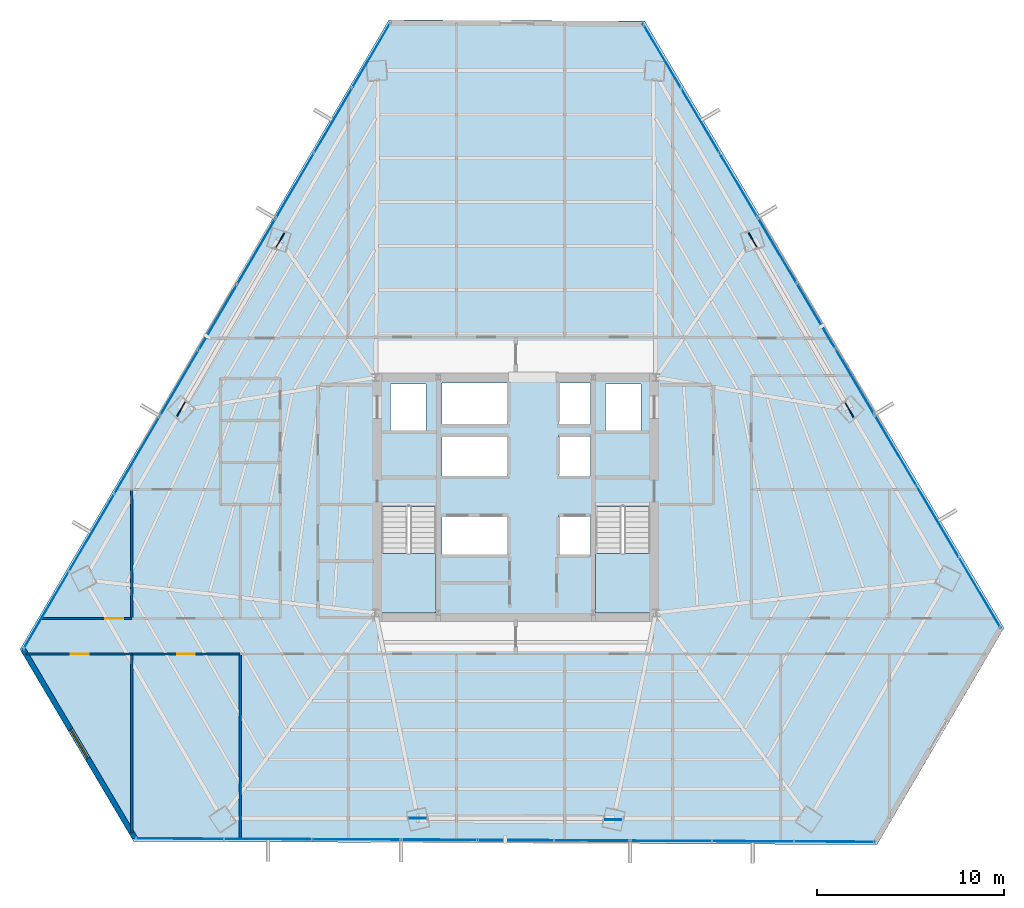
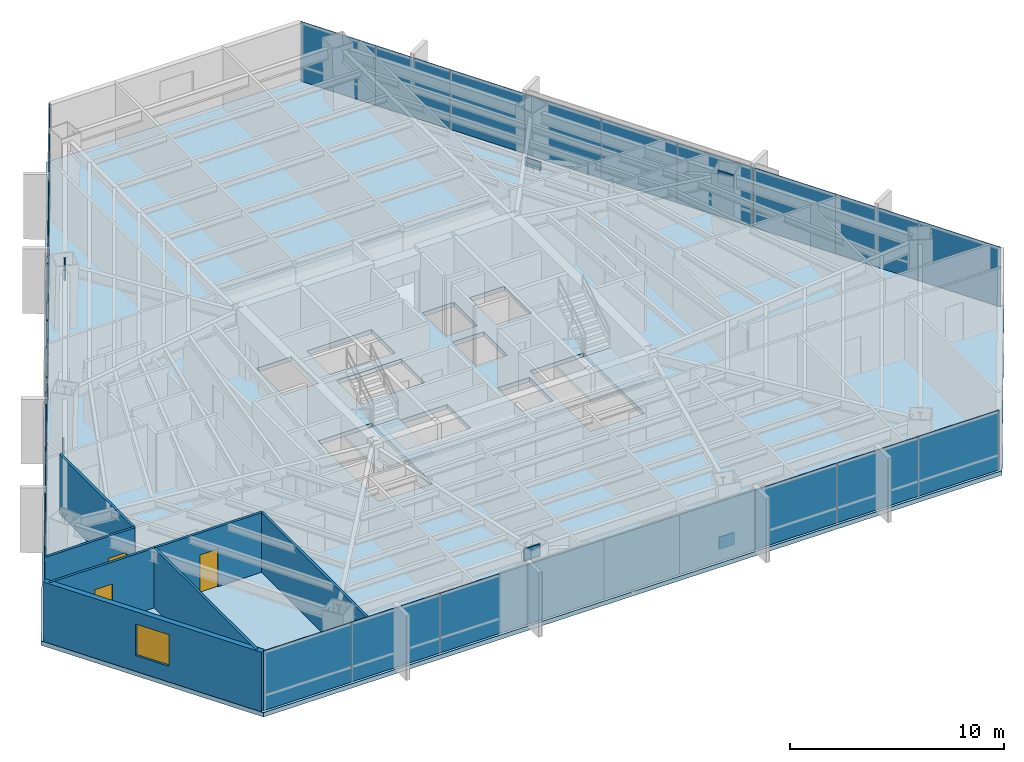
# One storey, part 29 of 37: 33 plates, 7 walls, 3 doors, 3 slabs, 1 window, 4 openings, 11 elements without a shape of their own.
"""IFC4 building model written with IfcOpenShell, lengths in metres."""

from ifc_helpers import new_model, si_unit, direction, frame, frame_2d, origin, origin_2d, place, context, subcontext, project, spatial, polyline, rectangle, outline, extrude, source, transform, mapped, material, layer, layer_set, type_object, type_shapes, element, fill, aggregate, save


model = new_model("IFC4")

# Units and contexts
model_context = context("Model", 3, precision=1e-05, world=origin(), true_north=direction((0.0, 1.0)))
body_context = subcontext(model_context, "Body", "Model", "MODEL_VIEW")
ifc_project = project(units=[si_unit("LENGTHUNIT", "METRE"), si_unit("AREAUNIT", "SQUARE_METRE"), si_unit("VOLUMEUNIT", "CUBIC_METRE"), si_unit("PLANEANGLEUNIT", "RADIAN"), si_unit("MASSUNIT", "GRAM", prefix="KILO")], contexts=[model_context])

# Site, building, storey
site_placement = place(None, origin())
site = spatial("IfcSite", under=ifc_project, at=site_placement, CompositionType="ELEMENT")
building_placement = place(site_placement, origin())
building = spatial("IfcBuilding", under=site, at=building_placement, Name="Caelisora Broadcast Tower", CompositionType="ELEMENT")
storey_placement = place(building_placement, frame((0.0, 0.0, 105.39990234375)))
storey = spatial("IfcBuildingStorey", under=building, at=storey_placement, Name="L27", CompositionType="ELEMENT", Elevation=105.39990234375)

# Slab
ifc_material_1 = material(Name="Concrete 40 MPa (AS 3600 N40)", Category="concrete")
ifc_layer_1 = layer(ifc_material_1, 0.25, Name="Concrete 40 MPa (AS 3600 N40)")
ifc_layer_set_1 = layer_set([ifc_layer_1], Name="Concrete 40 MPa (AS 3600 N40)")
slab_type_1 = type_object("IfcSlabType", Name="SL04", PredefinedType="FLOOR", material=ifc_layer_set_1)
slab_1_placement = place(storey_placement, frame((0.0, 0.0, -0.25)))
element("IfcSlab", 1, at=slab_1_placement, inside=storey, type_object=slab_type_1, Name="L27 suspended floor SL04", PredefinedType="FLOOR", context=body_context, shape_type="SweptSolid", body=[
    extrude(outline(polyline([(44.903076171875, 49.06005859375), (31.2060546875, 49.123046875), (11.472900390625, 15.44091796875), (17.550048828125, 5.176025390625), (57.3310546875, 4.993896484375), (64.125, 16.591064453125), (44.903076171875, 49.06005859375)]), holes=[polyline([(30.820068359375, 17.39990234375), (33.739990234375, 17.39990234375), (33.739990234375, 23.080078125), (30.820068359375, 23.080078125), (30.820068359375, 17.39990234375)]), polyline([(42.260009765625, 17.39990234375), (45.179931640625, 17.39990234375), (45.179931640625, 23.080078125), (42.260009765625, 23.080078125), (42.260009765625, 17.39990234375)]), polyline([(42.800048828125, 27.14990234375), (44.699951171875, 27.14990234375), (44.699951171875, 29.64990234375), (42.800048828125, 29.64990234375), (42.800048828125, 27.14990234375)]), polyline([(40.300048828125, 20.429931640625), (42.0, 20.429931640625), (42.0, 22.6298828125), (40.300048828125, 22.6298828125), (40.300048828125, 20.429931640625)]), polyline([(40.300048828125, 24.719970703125), (42.0, 24.719970703125), (42.0, 26.919921875), (40.300048828125, 26.919921875), (40.300048828125, 24.719970703125)]), polyline([(40.300048828125, 27.5), (42.0, 27.5), (42.0, 29.699951171875), (40.300048828125, 29.699951171875), (40.300048828125, 27.5)]), polyline([(34.050048828125, 20.429931640625), (37.550048828125, 20.429931640625), (37.550048828125, 22.6298828125), (34.050048828125, 22.6298828125), (34.050048828125, 20.429931640625)]), polyline([(34.050048828125, 24.719970703125), (37.550048828125, 24.719970703125), (37.550048828125, 26.919921875), (34.050048828125, 26.919921875), (34.050048828125, 24.719970703125)]), polyline([(34.050048828125, 27.5), (37.550048828125, 27.5), (37.550048828125, 29.699951171875), (34.050048828125, 29.699951171875), (34.050048828125, 27.5)]), polyline([(31.300048828125, 27.14990234375), (33.199951171875, 27.14990234375), (33.199951171875, 29.64990234375), (31.300048828125, 29.64990234375), (31.300048828125, 27.14990234375)])]), origin(), (0.0, 0.0, 1.0), 0.25),
])

# Stair, slab
stair_type_1 = type_object("IfcStairType", Name="ST-1", PredefinedType="HALF_TURN_STAIR", material=ifc_material_1)
stair_1_placement = place(storey_placement, origin())
stair_1 = element("IfcStair", 2, at=stair_1_placement, inside=storey, type_object=stair_type_1, Name="L27 West Fire-Isolated Tower Stair", PredefinedType="HALF_TURN_STAIR")
ifc_layer_2 = layer(ifc_material_1, 0.199951171875, Name="Concrete 40 MPa (AS 3600 N40)")
ifc_layer_set_2 = layer_set([ifc_layer_2], Name="Concrete 40 MPa (AS 3600 N40)")
slab_type_2 = type_object("IfcSlabType", Name="STL-1", PredefinedType="LANDING", material=ifc_layer_set_2)
slab_2_placement = place(storey_placement, frame((0.0, 0.0, 1.625)))
slab_2 = element("IfcSlab", 3, at=slab_2_placement, type_object=slab_type_2, Name="ST-1 landing 1", PredefinedType="LANDING", context=body_context, shape_type="SweptSolid", body=[
    extrude(outline(polyline([(30.820068359375, 20.580078125), (30.820068359375, 17.39990234375), (33.739990234375, 17.39990234375), (33.739990234375, 20.580078125), (30.820068359375, 20.580078125)])), origin(), (0.0, 0.0, 1.0), 0.2001953125),
])
aggregate(stair_1, [slab_2])

stair_type_2 = type_object("IfcStairType", Name="ST-2", PredefinedType="HALF_TURN_STAIR", material=ifc_material_1)
stair_2_placement = place(storey_placement, origin())
stair_2 = element("IfcStair", 4, at=stair_2_placement, inside=storey, type_object=stair_type_2, Name="L27 East Fire-Isolated Tower Stair", PredefinedType="HALF_TURN_STAIR")
slab_3_placement = place(storey_placement, frame((0.0, 0.0, 1.625)))
slab_3 = element("IfcSlab", 5, at=slab_3_placement, type_object=slab_type_2, Name="ST-2 landing 1", PredefinedType="LANDING", context=body_context, shape_type="SweptSolid", body=[
    extrude(outline(polyline([(42.260009765625, 20.580078125), (42.260009765625, 17.39990234375), (45.179931640625, 17.39990234375), (45.179931640625, 20.580078125), (42.260009765625, 20.580078125)])), origin(), (0.0, 0.0, 1.0), 0.2001953125),
])
aggregate(stair_2, [slab_3])

# Plates
ifc_material_2 = material(Name="Steel Grade 350 L15 (AS/NZS 3678)", Category="steel")
ifc_layer_3 = layer(ifc_material_2, 0.050048828125, Name="Steel Grade 350 L15 (AS/NZS 3678)")
ifc_layer_set_3 = layer_set([ifc_layer_3], Name="Steel Grade 350 L15 (AS/NZS 3678)")
plate_type_1 = type_object("IfcPlateType", Name="GP03", PredefinedType="USERDEFINED", material=ifc_layer_set_3)
shared_shape_1 = source(origin(), body_context, "Body", "SweptSolid", [
    extrude(rectangle(XDim=0.85009765625, YDim=0.050048828125, at=origin_2d()), origin(), (0.0, 0.0, 1.0), 0.699951171875),
])
type_shapes(plate_type_1, [shared_shape_1])
for number, where, z_axis, x_axis, name in (
    (6, (25.39111328125, 37.333984375, 2.72998046875), (0.0, 0.0, 1.0), (-0.5, -0.866025403784, 0.0), "L27 gusset plate GP03 (ND-L27-C02T)"),
    (7, (20.093505859375, 28.302978515625, -0.22998046875), (0.0, 0.0, 1.0), (-0.5, -0.866025403784, 0.0), "L27 gusset plate GP03 (ND-L27-C03B)"),
    (8, (32.7568359375, 6.413330078125, 2.72998046875), (0.0, 0.0, 1.0), (1.0, 0.0, 0.0), "L27 gusset plate GP03 (ND-L27-C06T)"),
    (9, (43.226806640625, 6.341064453125, -0.22998046875), (0.0, 0.0, 1.0), (1.0, 0.0, 0.0), "L27 gusset plate GP03 (ND-L27-C07B)"),
    (10, (55.85205078125, 28.252685546875, 2.72998046875), (0.0, 0.0, 1.0), (-0.5, 0.866025403784, 0.0), "L27 gusset plate GP03 (ND-L27-C10T)"),
    (11, (50.6796875, 37.35595703125, -0.22998046875), (0.0, 0.0, 1.0), (-0.5, 0.866025403784, 0.0), "L27 gusset plate GP03 (ND-L27-C11B)"),
):
    element("IfcPlate", number, at=place(storey_placement, frame(where, z_axis=z_axis, x_axis=x_axis)), inside=storey, type_object=plate_type_1, Name=name, ObjectType="GUSSET PLATE", PredefinedType="USERDEFINED", context=body_context, shape_type="MappedRepresentation", body=[
        mapped(shared_shape_1, transform((0.0, 0.0, 0.0), scale=1.0)),
    ])

# Curtain wall, plates
ifc_material_3 = material(Name="Unitised Aluminium and Low-E Glass Curtain Wall", Category="glass")
curtain_wall_type_1 = type_object("IfcCurtainWallType", Name="CW-Z2", PredefinedType="NOTDEFINED", material=ifc_material_3)
curtain_wall_1_placement = place(storey_placement, origin())
curtain_wall_1 = element("IfcCurtainWall", 12, at=curtain_wall_1_placement, inside=storey, type_object=curtain_wall_type_1, Name="L27 curtain wall CW-Z2", PredefinedType="NOTDEFINED")
ifc_material_4 = material(Name="Double Glazed Low-E Argon IGU", Category="glass")
ifc_layer_4 = layer(ifc_material_4, 0.033935546875, Name="Double Glazed Low-E Argon IGU")
ifc_layer_set_4 = layer_set([ifc_layer_4], Name="Double Glazed Low-E Argon IGU")
plate_type_2 = type_object("IfcPlateType", Name="CWP-03", PredefinedType="CURTAIN_PANEL", material=ifc_layer_set_4)
shared_shape_2 = source(origin(), body_context, "Body", "SweptSolid", [
    extrude(rectangle(XDim=4.008056640625, YDim=0.033935546875, at=origin_2d()), origin(), (0.0, 0.0, 1.0), 3.39990234375),
])
plate_1_placement = place(storey_placement, frame((45.837890625, 47.185546875, 0.000244140625), z_axis=(0.0, 0.0, 1.0), x_axis=(0.509492029423, -0.860475375565, 0.0)))
plate_1 = element("IfcPlate", 13, at=plate_1_placement, type_object=plate_type_2, Name="L27-CW-B01 glazed panel #1", PredefinedType="CURTAIN_PANEL", context=body_context, shape_type="MappedRepresentation", body=[
    mapped(shared_shape_2, transform((0.0, 0.0, 0.0), scale=1.0)),
])
plate_2_placement = place(storey_placement, frame((47.8798828125, 43.73681640625, 0.000244140625), z_axis=(0.0, 0.0, 1.0), x_axis=(0.509492029423, -0.860475375565, 0.0)))
plate_2 = element("IfcPlate", 14, at=plate_2_placement, type_object=plate_type_2, Name="L27-CW-B01 glazed panel #2", PredefinedType="CURTAIN_PANEL", context=body_context, shape_type="MappedRepresentation", body=[
    mapped(shared_shape_2, transform((0.0, 0.0, 0.0), scale=1.0)),
])
plate_3_placement = place(storey_placement, frame((49.921630859375, 40.287841796875, 0.000244140625), z_axis=(0.0, 0.0, 1.0), x_axis=(0.509492029423, -0.860475375565, 0.0)))
plate_3 = element("IfcPlate", 15, at=plate_3_placement, type_object=plate_type_2, Name="L27-CW-B01 glazed panel #3", PredefinedType="CURTAIN_PANEL", context=body_context, shape_type="MappedRepresentation", body=[
    mapped(shared_shape_2, transform((0.0, 0.0, 0.0), scale=1.0)),
])
aggregate(curtain_wall_1, [plate_1, plate_2, plate_3])

ifc_material_5 = material(Name="Unitised Aluminium Insulated Shadow-Box Spandrel Curtain Wall", Category="aluminium")
curtain_wall_type_2 = type_object("IfcCurtainWallType", Name="CW-SP1", PredefinedType="NOTDEFINED", material=ifc_material_5)
curtain_wall_2_placement = place(storey_placement, origin())
curtain_wall_2 = element("IfcCurtainWall", 16, at=curtain_wall_2_placement, inside=storey, type_object=curtain_wall_type_2, Name="L27 curtain wall CW-SP1", PredefinedType="NOTDEFINED")
ifc_material_6 = material(Name="Insulated Terracotta Shadow-Box Spandrel Panel", Category="aluminium")
ifc_layer_5 = layer(ifc_material_6, 0.0439453125, Name="Insulated Terracotta Shadow-Box Spandrel Panel")
ifc_layer_set_5 = layer_set([ifc_layer_5], Name="Insulated Terracotta Shadow-Box Spandrel Panel")
plate_type_3 = type_object("IfcPlateType", Name="CWP-10", PredefinedType="CURTAIN_PANEL", material=ifc_layer_set_5)
shared_shape_3 = source(origin(), body_context, "Body", "SweptSolid", [
    extrude(rectangle(XDim=4.0810546875, YDim=0.0439453125, at=origin_2d()), origin(), (0.0, 0.0, 1.0), 3.39990234375),
])
type_shapes(plate_type_3, [shared_shape_3])
plate_4_placement = place(storey_placement, frame((51.9873046875, 36.798828125, 0.000244140625), z_axis=(0.0, 0.0, 1.0), x_axis=(0.509492029423, -0.860475375565, 0.0)))
plate_4 = element("IfcPlate", 17, at=plate_4_placement, type_object=plate_type_3, Name="L27-CW-B02 spandrel panel #1", PredefinedType="CURTAIN_PANEL", context=body_context, shape_type="MappedRepresentation", body=[
    mapped(shared_shape_3, transform((0.0, 0.0, 0.0), scale=1.0)),
])
plate_5_placement = place(storey_placement, frame((54.06640625, 33.287109375, 0.000244140625), z_axis=(0.0, 0.0, 1.0), x_axis=(0.509492029423, -0.860475375565, 0.0)))
plate_5 = element("IfcPlate", 18, at=plate_5_placement, type_object=plate_type_3, Name="L27-CW-B02 spandrel panel #2", PredefinedType="CURTAIN_PANEL", context=body_context, shape_type="MappedRepresentation", body=[
    mapped(shared_shape_3, transform((0.0, 0.0, 0.0), scale=1.0)),
])
plate_6_placement = place(storey_placement, frame((56.145263671875, 29.775390625, 0.000244140625), z_axis=(0.0, 0.0, 1.0), x_axis=(0.509492029423, -0.860475375565, 0.0)))
plate_6 = element("IfcPlate", 19, at=plate_6_placement, type_object=plate_type_3, Name="L27-CW-B02 spandrel panel #3", PredefinedType="CURTAIN_PANEL", context=body_context, shape_type="MappedRepresentation", body=[
    mapped(shared_shape_3, transform((0.0, 0.0, 0.0), scale=1.0)),
])
aggregate(curtain_wall_2, [plate_4, plate_5, plate_6])

curtain_wall_3_placement = place(storey_placement, origin())
curtain_wall_3 = element("IfcCurtainWall", 20, at=curtain_wall_3_placement, inside=storey, type_object=curtain_wall_type_2, Name="L27 curtain wall CW-SP1", PredefinedType="NOTDEFINED")
plate_7_placement = place(storey_placement, frame((42.075927734375, 5.213623046875, 0.000244140625), z_axis=(0.0, 0.0, 1.0), x_axis=(-0.999989703949, 0.004537840481, 0.0)))
plate_7 = element("IfcPlate", 21, at=plate_7_placement, type_object=plate_type_3, Name="L27-CW-B06 spandrel panel #1", PredefinedType="CURTAIN_PANEL", context=body_context, shape_type="MappedRepresentation", body=[
    mapped(shared_shape_3, transform((0.0, 0.0, 0.0), scale=1.0)),
])
plate_8_placement = place(storey_placement, frame((37.994873046875, 5.232421875, 0.000244140625), z_axis=(0.0, 0.0, 1.0), x_axis=(-0.999989703949, 0.004537840481, 0.0)))
plate_8 = element("IfcPlate", 22, at=plate_8_placement, type_object=plate_type_3, Name="L27-CW-B06 spandrel panel #2", PredefinedType="CURTAIN_PANEL", context=body_context, shape_type="MappedRepresentation", body=[
    mapped(shared_shape_3, transform((0.0, 0.0, 0.0), scale=1.0)),
])
plate_9_placement = place(storey_placement, frame((33.913818359375, 5.251220703125, 0.000244140625), z_axis=(0.0, 0.0, 1.0), x_axis=(-0.999989703949, 0.004537840481, 0.0)))
plate_9 = element("IfcPlate", 23, at=plate_9_placement, type_object=plate_type_3, Name="L27-CW-B06 spandrel panel #3", PredefinedType="CURTAIN_PANEL", context=body_context, shape_type="MappedRepresentation", body=[
    mapped(shared_shape_3, transform((0.0, 0.0, 0.0), scale=1.0)),
])
aggregate(curtain_wall_3, [plate_7, plate_8, plate_9])

curtain_wall_4_placement = place(storey_placement, origin())
curtain_wall_4 = element("IfcCurtainWall", 24, at=curtain_wall_4_placement, inside=storey, type_object=curtain_wall_type_2, Name="L27 curtain wall CW-SP1", PredefinedType="NOTDEFINED")
plate_10_placement = place(storey_placement, frame((19.994140625, 29.688720703125, 0.000244140625), z_axis=(0.0, 0.0, 1.0), x_axis=(0.505431492718, 0.862866737202, 0.0)))
plate_10 = element("IfcPlate", 25, at=plate_10_placement, type_object=plate_type_3, Name="L27-CW-B10 spandrel panel #1", PredefinedType="CURTAIN_PANEL", context=body_context, shape_type="MappedRepresentation", body=[
    mapped(shared_shape_3, transform((0.0, 0.0, 0.0), scale=1.0)),
])
plate_11_placement = place(storey_placement, frame((22.05712890625, 33.210205078125, 0.000244140625), z_axis=(0.0, 0.0, 1.0), x_axis=(0.505431492718, 0.862866737202, 0.0)))
plate_11 = element("IfcPlate", 26, at=plate_11_placement, type_object=plate_type_3, Name="L27-CW-B10 spandrel panel #2", PredefinedType="CURTAIN_PANEL", context=body_context, shape_type="MappedRepresentation", body=[
    mapped(shared_shape_3, transform((0.0, 0.0, 0.0), scale=1.0)),
])
plate_12_placement = place(storey_placement, frame((24.1201171875, 36.7314453125, 0.000244140625), z_axis=(0.0, 0.0, 1.0), x_axis=(0.505431492718, 0.862866737202, 0.0)))
plate_12 = element("IfcPlate", 27, at=plate_12_placement, type_object=plate_type_3, Name="L27-CW-B10 spandrel panel #3", PredefinedType="CURTAIN_PANEL", context=body_context, shape_type="MappedRepresentation", body=[
    mapped(shared_shape_3, transform((0.0, 0.0, 0.0), scale=1.0)),
])
aggregate(curtain_wall_4, [plate_10, plate_11, plate_12])

curtain_wall_5_placement = place(storey_placement, origin())
curtain_wall_5 = element("IfcCurtainWall", 28, at=curtain_wall_5_placement, inside=storey, type_object=curtain_wall_type_1, Name="L27 curtain wall CW-Z2", PredefinedType="NOTDEFINED")
shared_shape_4 = source(origin(), body_context, "Body", "SweptSolid", [
    extrude(rectangle(XDim=4.423828125, YDim=0.033935546875, at=origin_2d()), origin(), (0.0, 0.0, 1.0), 3.39990234375),
])
plate_13_placement = place(storey_placement, frame((58.316650390625, 26.10791015625, 0.000244140625), z_axis=(0.0, 0.0, 1.0), x_axis=(0.509492029423, -0.860475375565, 0.0)))
plate_13 = element("IfcPlate", 29, at=plate_13_placement, type_object=plate_type_2, Name="L27-CW-B03 glazed panel #1", PredefinedType="CURTAIN_PANEL", context=body_context, shape_type="MappedRepresentation", body=[
    mapped(shared_shape_4, transform((0.0, 0.0, 0.0), scale=1.0)),
])
plate_14_placement = place(storey_placement, frame((60.5703125, 22.301025390625, 0.000244140625), z_axis=(0.0, 0.0, 1.0), x_axis=(0.509492029423, -0.860475375565, 0.0)))
plate_14 = element("IfcPlate", 30, at=plate_14_placement, type_object=plate_type_2, Name="L27-CW-B03 glazed panel #2", PredefinedType="CURTAIN_PANEL", context=body_context, shape_type="MappedRepresentation", body=[
    mapped(shared_shape_4, transform((0.0, 0.0, 0.0), scale=1.0)),
])
plate_15_placement = place(storey_placement, frame((62.82421875, 18.494384765625, 0.000244140625), z_axis=(0.0, 0.0, 1.0), x_axis=(0.509492029423, -0.860475375565, 0.0)))
plate_15 = element("IfcPlate", 31, at=plate_15_placement, type_object=plate_type_2, Name="L27-CW-B03 glazed panel #3", PredefinedType="CURTAIN_PANEL", context=body_context, shape_type="MappedRepresentation", body=[
    mapped(shared_shape_4, transform((0.0, 0.0, 0.0), scale=1.0)),
])
aggregate(curtain_wall_5, [plate_13, plate_14, plate_15])

curtain_wall_6_placement = place(storey_placement, origin())
curtain_wall_6 = element("IfcCurtainWall", 32, at=curtain_wall_6_placement, inside=storey, type_object=curtain_wall_type_1, Name="L27 curtain wall CW-Z2", PredefinedType="NOTDEFINED")
shared_shape_5 = source(origin(), body_context, "Body", "SweptSolid", [
    extrude(rectangle(XDim=4.372802734375, YDim=0.033935546875, at=origin_2d()), origin(), (0.0, 0.0, 1.0), 3.39990234375),
])
plate_16_placement = place(storey_placement, frame((55.05859375, 5.154052734375, 0.000244140625), z_axis=(0.0, 0.0, 1.0), x_axis=(-0.999989703949, 0.004537840481, 0.0)))
plate_16 = element("IfcPlate", 33, at=plate_16_placement, type_object=plate_type_2, Name="L27-CW-B05 glazed panel #1", PredefinedType="CURTAIN_PANEL", context=body_context, shape_type="MappedRepresentation", body=[
    mapped(shared_shape_5, transform((0.0, 0.0, 0.0), scale=1.0)),
])
plate_17_placement = place(storey_placement, frame((50.685791015625, 5.174072265625, 0.000244140625), z_axis=(0.0, 0.0, 1.0), x_axis=(-0.999989703949, 0.004537840481, 0.0)))
plate_17 = element("IfcPlate", 34, at=plate_17_placement, type_object=plate_type_2, Name="L27-CW-B05 glazed panel #2", PredefinedType="CURTAIN_PANEL", context=body_context, shape_type="MappedRepresentation", body=[
    mapped(shared_shape_5, transform((0.0, 0.0, 0.0), scale=1.0)),
])
plate_18_placement = place(storey_placement, frame((46.31298828125, 5.194091796875, 0.000244140625), z_axis=(0.0, 0.0, 1.0), x_axis=(-0.999989703949, 0.004537840481, 0.0)))
plate_18 = element("IfcPlate", 35, at=plate_18_placement, type_object=plate_type_2, Name="L27-CW-B05 glazed panel #3", PredefinedType="CURTAIN_PANEL", context=body_context, shape_type="MappedRepresentation", body=[
    mapped(shared_shape_5, transform((0.0, 0.0, 0.0), scale=1.0)),
])
aggregate(curtain_wall_6, [plate_16, plate_17, plate_18])

curtain_wall_7_placement = place(storey_placement, origin())
curtain_wall_7 = element("IfcCurtainWall", 36, at=curtain_wall_7_placement, inside=storey, type_object=curtain_wall_type_1, Name="L27 curtain wall CW-Z2", PredefinedType="NOTDEFINED")
shared_shape_6 = source(origin(), body_context, "Body", "SweptSolid", [
    extrude(rectangle(XDim=4.742431640625, YDim=0.033935546875, at=origin_2d()), origin(), (0.0, 0.0, 1.0), 3.39990234375),
])
plate_19_placement = place(storey_placement, frame((29.4921875, 5.271484375, 0.000244140625), z_axis=(0.0, 0.0, 1.0), x_axis=(-0.999989703949, 0.004537840481, 0.0)))
plate_19 = element("IfcPlate", 37, at=plate_19_placement, type_object=plate_type_2, Name="L27-CW-B07 glazed panel #1", PredefinedType="CURTAIN_PANEL", context=body_context, shape_type="MappedRepresentation", body=[
    mapped(shared_shape_6, transform((0.0, 0.0, 0.0), scale=1.0)),
])
plate_20_placement = place(storey_placement, frame((24.749755859375, 5.293212890625, 0.000244140625), z_axis=(0.0, 0.0, 1.0), x_axis=(-0.999989703949, 0.004537840481, 0.0)))
plate_20 = element("IfcPlate", 38, at=plate_20_placement, type_object=plate_type_2, Name="L27-CW-B07 glazed panel #2", PredefinedType="CURTAIN_PANEL", context=body_context, shape_type="MappedRepresentation", body=[
    mapped(shared_shape_6, transform((0.0, 0.0, 0.0), scale=1.0)),
])
plate_21_placement = place(storey_placement, frame((20.007080078125, 5.315185546875, 0.000244140625), z_axis=(0.0, 0.0, 1.0), x_axis=(-0.999989703949, 0.004537840481, 0.0)))
plate_21 = element("IfcPlate", 39, at=plate_21_placement, type_object=plate_type_2, Name="L27-CW-B07 glazed panel #3", PredefinedType="CURTAIN_PANEL", context=body_context, shape_type="MappedRepresentation", body=[
    mapped(shared_shape_6, transform((0.0, 0.0, 0.0), scale=1.0)),
])
aggregate(curtain_wall_7, [plate_19, plate_20, plate_21])

curtain_wall_8_placement = place(storey_placement, origin())
curtain_wall_8 = element("IfcCurtainWall", 40, at=curtain_wall_8_placement, inside=storey, type_object=curtain_wall_type_1, Name="L27 curtain wall CW-Z2", PredefinedType="NOTDEFINED")
shared_shape_7 = source(origin(), body_context, "Body", "SweptSolid", [
    extrude(rectangle(XDim=4.82080078125, YDim=0.033935546875, at=origin_2d()), origin(), (0.0, 0.0, 1.0), 3.39990234375),
])
plate_22_placement = place(storey_placement, frame((12.865478515625, 17.520751953125, 0.000244140625), z_axis=(0.0, 0.0, 1.0), x_axis=(0.505431492718, 0.862866737202, 0.0)))
plate_22 = element("IfcPlate", 41, at=plate_22_placement, type_object=plate_type_2, Name="L27-CW-B09 glazed panel #1", PredefinedType="CURTAIN_PANEL", context=body_context, shape_type="MappedRepresentation", body=[
    mapped(shared_shape_7, transform((0.0, 0.0, 0.0), scale=1.0)),
])
plate_23_placement = place(storey_placement, frame((15.30224609375, 21.680419921875, 0.000244140625), z_axis=(0.0, 0.0, 1.0), x_axis=(0.505431492718, 0.862866737202, 0.0)))
plate_23 = element("IfcPlate", 42, at=plate_23_placement, type_object=plate_type_2, Name="L27-CW-B09 glazed panel #2", PredefinedType="CURTAIN_PANEL", context=body_context, shape_type="MappedRepresentation", body=[
    mapped(shared_shape_7, transform((0.0, 0.0, 0.0), scale=1.0)),
])
plate_24_placement = place(storey_placement, frame((17.7392578125, 25.83984375, 0.000244140625), z_axis=(0.0, 0.0, 1.0), x_axis=(0.505431492718, 0.862866737202, 0.0)))
plate_24 = element("IfcPlate", 43, at=plate_24_placement, type_object=plate_type_2, Name="L27-CW-B09 glazed panel #3", PredefinedType="CURTAIN_PANEL", context=body_context, shape_type="MappedRepresentation", body=[
    mapped(shared_shape_7, transform((0.0, 0.0, 0.0), scale=1.0)),
])
aggregate(curtain_wall_8, [plate_22, plate_23, plate_24])

curtain_wall_9_placement = place(storey_placement, origin())
curtain_wall_9 = element("IfcCurtainWall", 44, at=curtain_wall_9_placement, inside=storey, type_object=curtain_wall_type_1, Name="L27 curtain wall CW-Z2", PredefinedType="NOTDEFINED")
shared_shape_8 = source(origin(), body_context, "Body", "SweptSolid", [
    extrude(rectangle(XDim=4.045654296875, YDim=0.033935546875, at=origin_2d()), origin(), (0.0, 0.0, 1.0), 3.39990234375),
])
type_shapes(plate_type_2, [shared_shape_2, shared_shape_4, shared_shape_5, shared_shape_6, shared_shape_7, shared_shape_8])
plate_25_placement = place(storey_placement, frame((26.17919921875, 40.24609375, 0.000244140625), z_axis=(0.0, 0.0, 1.0), x_axis=(0.505431492718, 0.862866737202, 0.0)))
plate_25 = element("IfcPlate", 45, at=plate_25_placement, type_object=plate_type_2, Name="L27-CW-B11 glazed panel #1", PredefinedType="CURTAIN_PANEL", context=body_context, shape_type="MappedRepresentation", body=[
    mapped(shared_shape_8, transform((0.0, 0.0, 0.0), scale=1.0)),
])
plate_26_placement = place(storey_placement, frame((28.224365234375, 43.73681640625, 0.000244140625), z_axis=(0.0, 0.0, 1.0), x_axis=(0.505431492718, 0.862866737202, 0.0)))
plate_26 = element("IfcPlate", 46, at=plate_26_placement, type_object=plate_type_2, Name="L27-CW-B11 glazed panel #2", PredefinedType="CURTAIN_PANEL", context=body_context, shape_type="MappedRepresentation", body=[
    mapped(shared_shape_8, transform((0.0, 0.0, 0.0), scale=1.0)),
])
plate_27_placement = place(storey_placement, frame((30.269287109375, 47.2275390625, 0.000244140625), z_axis=(0.0, 0.0, 1.0), x_axis=(0.505431492718, 0.862866737202, 0.0)))
plate_27 = element("IfcPlate", 47, at=plate_27_placement, type_object=plate_type_2, Name="L27-CW-B11 glazed panel #3", PredefinedType="CURTAIN_PANEL", context=body_context, shape_type="MappedRepresentation", body=[
    mapped(shared_shape_8, transform((0.0, 0.0, 0.0), scale=1.0)),
])
aggregate(curtain_wall_9, [plate_25, plate_26, plate_27])

# Wall, opening, window
ifc_material_7 = material(Name="Insulated Terracotta Spandrel Wall System", Category="masonry")
ifc_layer_6 = layer(ifc_material_7, 0.280029296875, Name="Insulated Terracotta Spandrel Wall System")
ifc_layer_set_6 = layer_set([ifc_layer_6], Name="Insulated Terracotta Spandrel Wall System")
wall_type_1 = type_object("IfcWallType", Name="EW1", PredefinedType="STANDARD", material=ifc_layer_set_6)
wall_1_placement = place(storey_placement, frame((17.62060546875, 5.351806640625, 0.0), z_axis=(0.0, 0.0, 1.0), x_axis=(-0.509467601266, 0.860489839138, 0.0)))
wall_1 = element("IfcWall", 48, at=wall_1_placement, inside=storey, type_object=wall_type_1, Name="L27 exterior envelope wall EW1", PredefinedType="STANDARD", context=body_context, shape_type="SweptSolid", body=[
    extrude(rectangle(XDim=11.695068359375, YDim=0.280029296875, at=frame_2d((5.84765625, 0.0))), origin(), (0.0, 0.0, 1.0), 3.400146484375),
])
opening_1_placement = place(wall_1_placement, frame((4.949951171875, 0.0, 0.89990234375)))
opening_1 = element("IfcOpeningElement", 49, at=opening_1_placement, cuts=wall_1, Name="Opening W01", PredefinedType="OPENING", context=body_context, shape_type="SweptSolid", body=[
    extrude(rectangle(XDim=1.800048828125, YDim=1.800048828125, at=frame_2d((0.89990234375, 0.89990234375))), frame((0.0, 0.152099609375, 0.0), z_axis=(0.0, -1.0, 0.0), x_axis=(1.0, 0.0, 0.0)), (0.0, 0.0, 1.0), 0.303955078125),
])
ifc_material_8 = material(Name="Double Glazed Terracotta-Framed Vision Window", Category="glass")
window_type = type_object("IfcWindowType", Name="W01", PartitioningType="SINGLE_PANEL", PredefinedType="WINDOW", material=ifc_material_8)
window_placement = place(opening_1_placement, origin())
window = element("IfcWindow", 50, at=window_placement, inside=storey, type_object=window_type, Name="L27 window W01 (L27-WN-CH4)", OverallHeight=1.800048828125, OverallWidth=1.800048828125, PartitioningType="SINGLE_PANEL", PredefinedType="WINDOW", context=body_context, shape_type="SweptSolid", body=[
    extrude(rectangle(XDim=1.800048828125, YDim=1.800048828125, at=frame_2d((0.89990234375, 0.89990234375))), frame((0.0, 0.030029296875, 0.0), z_axis=(0.0, -1.0, 0.0), x_axis=(1.0, 0.0, 0.0)), (0.0, 0.0, 1.0), 0.06005859375),
])
fill(opening_1, window)

# Walls
ifc_material_9 = material(Name="Acoustic Steel-Stud Plasterboard Partition", Category="gypsum")
ifc_layer_7 = layer(ifc_material_9, 0.1298828125, Name="Acoustic Steel-Stud Plasterboard Partition")
ifc_layer_set_7 = layer_set([ifc_layer_7], Name="Acoustic Steel-Stud Plasterboard Partition")
wall_type_2 = type_object("IfcWallType", Name="PW3", PredefinedType="PARTITIONING", material=ifc_layer_set_7)
wall_2_placement = place(storey_placement, frame((23.25, 5.294921875, 0.0), z_axis=(0.0, 0.0, 1.0), x_axis=(0.0, 1.0, 0.0)))
element("IfcWall", 51, at=wall_2_placement, inside=storey, type_object=wall_type_2, Name="L27 internal partition PW3", PredefinedType="PARTITIONING", context=body_context, shape_type="SweptSolid", body=[
    extrude(rectangle(XDim=9.900146484375, YDim=0.1298828125, at=frame_2d((4.9501953125, 0.0))), origin(), (0.0, 0.0, 1.0), 3.400146484375),
])
wall_3_placement = place(storey_placement, frame((17.4599609375, 5.61279296875, 0.0), z_axis=(0.0, 0.0, 1.0), x_axis=(0.0, 1.0, 0.0)))
element("IfcWall", 52, at=wall_3_placement, inside=storey, type_object=wall_type_2, Name="L27 internal partition PW3", PredefinedType="PARTITIONING", context=body_context, shape_type="SweptSolid", body=[
    extrude(rectangle(XDim=9.582275390625, YDim=0.1298828125, at=frame_2d((4.791015625, 0.0))), origin(), (0.0, 0.0, 1.0), 3.400146484375),
])
wall_4_placement = place(storey_placement, frame((17.4599609375, 17.10498046875, 0.0), z_axis=(0.0, 0.0, 1.0), x_axis=(0.0, 1.0, 0.0)))
element("IfcWall", 53, at=wall_4_placement, inside=storey, type_object=wall_type_2, Name="L27 internal partition PW3", PredefinedType="PARTITIONING", context=body_context, shape_type="SweptSolid", body=[
    extrude(rectangle(XDim=6.89013671875, YDim=0.1298828125, at=frame_2d((3.445068359375, 0.0))), origin(), (0.0, 0.0, 1.0), 3.400146484375),
])

# Wall, opening, door
wall_5_placement = place(storey_placement, frame((11.7841796875, 15.199951171875, 0.0), z_axis=(0.0, 0.0, 1.0), x_axis=(1.0, 0.0, 0.0)))
wall_5 = element("IfcWall", 54, at=wall_5_placement, inside=storey, type_object=wall_type_2, Name="L27 internal partition PW3", PredefinedType="PARTITIONING", context=body_context, shape_type="SweptSolid", body=[
    extrude(rectangle(XDim=5.6708984375, YDim=0.1298828125, at=frame_2d((2.83544921875, 0.0))), origin(), (0.0, 0.0, 1.0), 3.400146484375),
])
opening_2_placement = place(wall_5_placement, frame((2.412109375, 0.0, 0.0)))
opening_2 = element("IfcOpeningElement", 55, at=opening_2_placement, cuts=wall_5, Name="Opening D01", PredefinedType="OPENING", context=body_context, shape_type="SweptSolid", body=[
    extrude(rectangle(XDim=0.9599609375, YDim=2.14990234375, at=frame_2d((0.47998046875, 1.074951171875))), frame((0.0, 0.076904296875, 0.0), z_axis=(0.0, -1.0, 0.0), x_axis=(1.0, 0.0, 0.0)), (0.0, 0.0, 1.0), 0.15380859375),
])
ifc_material_10 = material(Name="Solid-Core Timber Acoustic Office Door", Category="wood")
door_type = type_object("IfcDoorType", Name="D01", OperationType="NOTDEFINED", PredefinedType="DOOR", material=ifc_material_10)
door_1_placement = place(opening_2_placement, origin())
door_1 = element("IfcDoor", 56, at=door_1_placement, inside=storey, type_object=door_type, Name="L27 door D01 (L27-DR-P51D1)", OperationType="SINGLE_SWING_LEFT", OverallHeight=2.14990234375, OverallWidth=0.9599609375, PredefinedType="DOOR", context=body_context, shape_type="SweptSolid", body=[
    extrude(rectangle(XDim=0.9599609375, YDim=2.14990234375, at=frame_2d((0.47998046875, 1.074951171875))), frame((0.0, 0.02490234375, 0.0), z_axis=(0.0, -1.0, 0.0), x_axis=(1.0, 0.0, 0.0)), (0.0, 0.0, 1.0), 0.050048828125),
])
fill(opening_2, door_1)

wall_6_placement = place(storey_placement, frame((17.465087890625, 15.199951171875, 0.0), z_axis=(0.0, 0.0, 1.0), x_axis=(1.0, 0.0, 0.0)))
wall_6 = element("IfcWall", 57, at=wall_6_placement, inside=storey, type_object=wall_type_2, Name="L27 internal partition PW3", PredefinedType="PARTITIONING", context=body_context, shape_type="SweptSolid", body=[
    extrude(rectangle(XDim=5.780029296875, YDim=0.1298828125, at=frame_2d((2.89013671875, 0.0))), origin(), (0.0, 0.0, 1.0), 3.400146484375),
])
opening_3_placement = place(wall_6_placement, frame((2.409912109375, 0.0, 0.0)))
opening_3 = element("IfcOpeningElement", 58, at=opening_3_placement, cuts=wall_6, Name="Opening D01", PredefinedType="OPENING", context=body_context, shape_type="SweptSolid", body=[
    extrude(rectangle(XDim=0.9599609375, YDim=2.14990234375, at=frame_2d((0.47998046875, 1.074951171875))), frame((0.0, 0.076904296875, 0.0), z_axis=(0.0, -1.0, 0.0), x_axis=(1.0, 0.0, 0.0)), (0.0, 0.0, 1.0), 0.15380859375),
])
door_2_placement = place(opening_3_placement, origin())
door_2 = element("IfcDoor", 59, at=door_2_placement, inside=storey, type_object=door_type, Name="L27 door D01 (L27-DR-P56D1)", OperationType="SINGLE_SWING_RIGHT", OverallHeight=2.14990234375, OverallWidth=0.9599609375, PredefinedType="DOOR", context=body_context, shape_type="SweptSolid", body=[
    extrude(rectangle(XDim=0.9599609375, YDim=2.14990234375, at=frame_2d((0.47998046875, 1.074951171875))), frame((0.0, 0.02490234375, 0.0), z_axis=(0.0, -1.0, 0.0), x_axis=(1.0, 0.0, 0.0)), (0.0, 0.0, 1.0), 0.050048828125),
])
fill(opening_3, door_2)

wall_7_placement = place(storey_placement, frame((12.613037109375, 17.10009765625, 0.0), z_axis=(0.0, 0.0, 1.0), x_axis=(1.0, 0.0, 0.0)))
wall_7 = element("IfcWall", 60, at=wall_7_placement, inside=storey, type_object=wall_type_2, Name="L27 internal partition PW3", PredefinedType="PARTITIONING", context=body_context, shape_type="SweptSolid", body=[
    extrude(rectangle(XDim=4.842041015625, YDim=0.1298828125, at=frame_2d((2.4208984375, 0.0))), origin(), (0.0, 0.0, 1.0), 3.400146484375),
])
opening_4_placement = place(wall_7_placement, frame((3.419921875, 0.0, 0.0)))
opening_4 = element("IfcOpeningElement", 61, at=opening_4_placement, cuts=wall_7, Name="Opening D01", PredefinedType="OPENING", context=body_context, shape_type="SweptSolid", body=[
    extrude(rectangle(XDim=0.9599609375, YDim=2.14990234375, at=frame_2d((0.47998046875, 1.074951171875))), frame((0.0, 0.076904296875, 0.0), z_axis=(0.0, -1.0, 0.0), x_axis=(1.0, 0.0, 0.0)), (0.0, 0.0, 1.0), 0.15380859375),
])
door_3_placement = place(opening_4_placement, origin())
door_3 = element("IfcDoor", 62, at=door_3_placement, inside=storey, type_object=door_type, Name="L27 door D01 (L27-DR-P63D1)", OperationType="SINGLE_SWING_RIGHT", OverallHeight=2.14990234375, OverallWidth=0.9599609375, PredefinedType="DOOR", context=body_context, shape_type="SweptSolid", body=[
    extrude(rectangle(XDim=0.9599609375, YDim=2.14990234375, at=frame_2d((0.47998046875, 1.074951171875))), frame((0.0, 0.02490234375, 0.0), z_axis=(0.0, -1.0, 0.0), x_axis=(1.0, 0.0, 0.0)), (0.0, 0.0, 1.0), 0.050048828125),
])
fill(opening_4, door_3)

save(model, "model.ifc")
